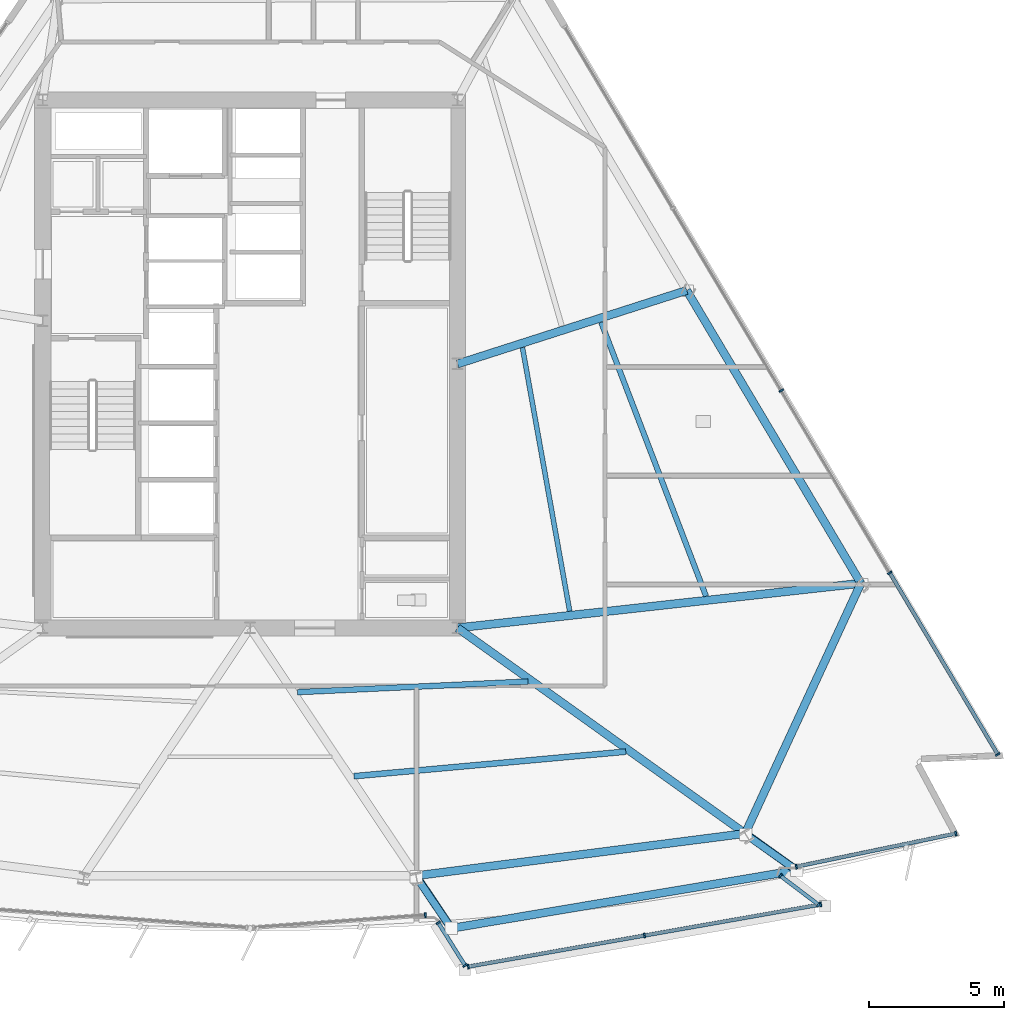
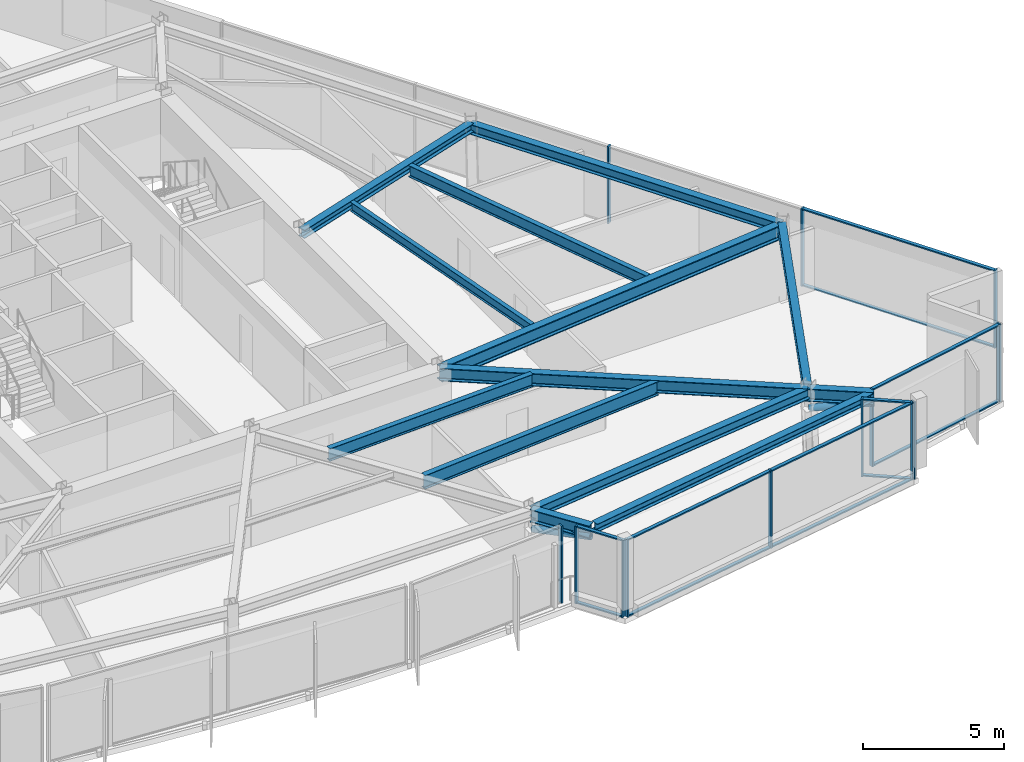
# One storey, part 4 of 15: 27 members, 13 beams, 6 elements without a shape of their own.
"""IFC4 building model written with IfcOpenShell, lengths in metres."""

from ifc_helpers import new_model, si_unit, direction, frame, origin, origin_2d, place, context, subcontext, project, spatial, rectangle, hollow_circle, i_section, extrude, material, material_profile, profile_set, type_object, element, aggregate, save


model = new_model("IFC4")

# Units and contexts
model_context = context("Model", 3, precision=1e-05, world=origin(), true_north=direction((0.0, 1.0)))
body_context = subcontext(model_context, "Body", "Model", "MODEL_VIEW")
ifc_project = project(units=[si_unit("LENGTHUNIT", "METRE"), si_unit("AREAUNIT", "SQUARE_METRE"), si_unit("VOLUMEUNIT", "CUBIC_METRE"), si_unit("PLANEANGLEUNIT", "RADIAN"), si_unit("MASSUNIT", "GRAM", prefix="KILO")], contexts=[model_context])

# Site, building, storey
site_placement = place(None, origin())
site = spatial("IfcSite", under=ifc_project, at=site_placement, CompositionType="ELEMENT")
building_placement = place(site_placement, origin())
building = spatial("IfcBuilding", under=site, at=building_placement, Name="Savorim Split Tower", CompositionType="ELEMENT")
storey_placement = place(building_placement, frame((0.0, 0.0, 122.10009765625)))
storey = spatial("IfcBuildingStorey", under=building, at=storey_placement, Name="L32", CompositionType="ELEMENT", Elevation=122.10009765625)

# Beams
ifc_material_1 = material(Name="Steel S355", Category="steel")
ifc_material_profile_1 = material_profile(ifc_material_1, i_section(OverallWidth=0.179931640625, OverallDepth=0.39990234375, WebThickness=0.008544921875, FlangeThickness=0.013427734375, FilletRadius=0.02099609375, at=origin_2d()), Name="IPE 400")
ifc_profile_set_1 = profile_set([ifc_material_profile_1], Name="Steel S355")
beam_type_1 = type_object("IfcBeamType", Name="BM-JST-IPE400", PredefinedType="JOIST", material=ifc_profile_set_1)
beam_1_placement = place(storey_placement, frame((11.864990234375, -8.77880859375, 3.14990234375), z_axis=(-0.176421266389, 0.984314754926, 0.0), x_axis=(-0.984314754926, -0.176421266389, 0.0)))
element("IfcBeam", 1, at=beam_1_placement, inside=storey, type_object=beam_type_1, Name="L32 Secondary Floor Joist JS-08", PredefinedType="JOIST", context=body_context, shape_type="SweptSolid", body=[
    extrude(i_section(OverallWidth=0.179931640625, OverallDepth=0.39990234375, WebThickness=0.008544921875, FlangeThickness=0.013427734375, FilletRadius=0.02099609375, at=origin_2d()), origin(), (0.0, 0.0, 1.0), 9.941650390625),
])
ifc_material_profile_2 = material_profile(ifc_material_1, i_section(OverallWidth=0.199951171875, OverallDepth=0.5, WebThickness=0.01025390625, FlangeThickness=0.01611328125, FilletRadius=0.02099609375, at=origin_2d()), Name="IPE 500")
ifc_profile_set_2 = profile_set([ifc_material_profile_2], Name="Steel S355")
beam_type_2 = type_object("IfcBeamType", Name="BM-JST-IPE500", PredefinedType="JOIST", material=ifc_profile_set_2)
beam_2_placement = place(storey_placement, frame((16.927490234375, -8.223388671875, 3.099853515625), z_axis=(-0.357686380294, 0.933841771047, 0.0), x_axis=(-0.933841771047, -0.357686380294, 0.0)))
element("IfcBeam", 2, at=beam_2_placement, inside=storey, type_object=beam_type_2, Name="L32 Secondary Floor Joist JS-06", PredefinedType="JOIST", context=body_context, shape_type="SweptSolid", body=[
    extrude(i_section(OverallWidth=0.199951171875, OverallDepth=0.5, WebThickness=0.01025390625, FlangeThickness=0.01611328125, FilletRadius=0.02099609375, at=origin_2d()), origin(), (0.0, 0.0, 1.0), 10.88671875),
])
ifc_material_profile_3 = material_profile(ifc_material_1, i_section(OverallWidth=0.2099609375, OverallDepth=0.550048828125, WebThickness=0.010986328125, FlangeThickness=0.01708984375, FilletRadius=0.02392578125, at=origin_2d()), Name="IPE 550")
ifc_profile_set_3 = profile_set([ifc_material_profile_3], Name="Steel S355")
beam_type_3 = type_object("IfcBeamType", Name="BM-JST-IPE550", PredefinedType="JOIST", material=ifc_profile_set_3)
beam_3_placement = place(storey_placement, frame((1.76123046875, -11.78515625, 3.074951171875), z_axis=(0.998944955435, 0.045923588825, 0.0), x_axis=(-0.045923588825, 0.998944955435, 0.0)))
element("IfcBeam", 3, at=beam_3_placement, inside=storey, type_object=beam_type_3, Name="L32 Secondary Floor Joist JS-05", PredefinedType="JOIST", context=body_context, shape_type="SweptSolid", body=[
    extrude(i_section(OverallWidth=0.2099609375, OverallDepth=0.550048828125, WebThickness=0.010986328125, FlangeThickness=0.01708984375, FilletRadius=0.02392578125, at=origin_2d()), origin(), (0.0, 0.0, 1.0), 8.564453125),
])
ifc_material_profile_4 = material_profile(ifc_material_1, i_section(OverallWidth=0.219970703125, OverallDepth=0.60009765625, WebThickness=0.011962890625, FlangeThickness=0.01904296875, FilletRadius=0.02392578125, at=origin_2d()), Name="IPE 600")
ifc_profile_set_4 = profile_set([ifc_material_profile_4], Name="Steel S355")
beam_type_4 = type_object("IfcBeamType", Name="BM-JST-IPE600", PredefinedType="JOIST", material=ifc_profile_set_4)
beam_4_placement = place(storey_placement, frame((3.855224609375, -14.90673828125, 3.0498046875), z_axis=(0.9959369281, 0.090053513238, 0.0), x_axis=(-0.090053513238, 0.9959369281, 0.0)))
element("IfcBeam", 4, at=beam_4_placement, inside=storey, type_object=beam_type_4, Name="L32 Secondary Floor Joist JS-04", PredefinedType="JOIST", context=body_context, shape_type="SweptSolid", body=[
    extrude(i_section(OverallWidth=0.219970703125, OverallDepth=0.60009765625, WebThickness=0.011962890625, FlangeThickness=0.01904296875, FilletRadius=0.02392578125, at=origin_2d()), origin(), (0.0, 0.0, 1.0), 10.134033203125),
])
ifc_material_profile_5 = material_profile(ifc_material_1, i_section(OverallWidth=0.300048828125, OverallDepth=0.360107421875, WebThickness=0.012451171875, FlangeThickness=0.0224609375, FilletRadius=0.027099609375, at=origin_2d()), Name="HEB 360")
ifc_profile_set_5 = profile_set([ifc_material_profile_5], Name="Steel S355")
beam_type_5 = type_object("IfcBeamType", Name="BM-PRI-HEB360", PredefinedType="BEAM", material=ifc_profile_set_5)
beam_5_placement = place(storey_placement, frame((16.2099609375, 3.1298828125, 3.169921875), z_axis=(-0.952203773399, -0.305463539437, 0.0), x_axis=(0.305463539437, -0.952203773399, 0.0)))
element("IfcBeam", 5, at=beam_5_placement, inside=storey, type_object=beam_type_5, Name="L32 Primary Floor Girder RG-06", PredefinedType="BEAM", context=body_context, shape_type="SweptSolid", body=[
    extrude(i_section(OverallWidth=0.300048828125, OverallDepth=0.360107421875, WebThickness=0.012451171875, FlangeThickness=0.0224609375, FilletRadius=0.027099609375, at=origin_2d()), origin(), (0.0, 0.0, 1.0), 8.937255859375),
])
ifc_material_profile_6 = material_profile(ifc_material_1, i_section(OverallWidth=0.300048828125, OverallDepth=0.550048828125, WebThickness=0.014892578125, FlangeThickness=0.029052734375, FilletRadius=0.027099609375, at=origin_2d()), Name="HEB 550")
ifc_profile_set_6 = profile_set([ifc_material_profile_6], Name="Steel S355")
beam_type_6 = type_object("IfcBeamType", Name="BM-PRI-HEB550", PredefinedType="BEAM", material=ifc_profile_set_6)
beam_6_placement = place(storey_placement, frame((18.37890625, -17.032958984375, 3.074951171875), z_axis=(-0.813544923629, 0.581502069849, 0.0), x_axis=(-0.581502069849, -0.813544923629, 0.0)))
element("IfcBeam", 6, at=beam_6_placement, inside=storey, type_object=beam_type_6, Name="L32 Primary Floor Girder RG-04", PredefinedType="BEAM", context=body_context, shape_type="SweptSolid", body=[
    extrude(i_section(OverallWidth=0.300048828125, OverallDepth=0.550048828125, WebThickness=0.014892578125, FlangeThickness=0.029052734375, FilletRadius=0.027099609375, at=origin_2d()), origin(), (0.0, 0.0, 1.0), 13.12646484375),
])
beam_7_placement = place(storey_placement, frame((6.159912109375, -18.601806640625, 3.074951171875), z_axis=(0.556233646581, -0.831025950504, 0.0), x_axis=(0.831025950504, 0.556233646581, 0.0)))
element("IfcBeam", 7, at=beam_7_placement, inside=storey, type_object=beam_type_6, Name="L32 Cantilevered Lounge Rib 1", PredefinedType="BEAM", context=body_context, shape_type="SweptSolid", body=[
    extrude(i_section(OverallWidth=0.300048828125, OverallDepth=0.550048828125, WebThickness=0.014892578125, FlangeThickness=0.029052734375, FilletRadius=0.027099609375, at=origin_2d()), origin(), (0.0, 0.0, 1.0), 2.349853515625),
])
beam_8_placement = place(storey_placement, frame((18.37890625, -17.032958984375, 3.074951171875), z_axis=(0.813564966263, -0.581474028371, 0.0), x_axis=(0.581474028371, 0.813564966263, 0.0)))
element("IfcBeam", 8, at=beam_8_placement, inside=storey, type_object=beam_type_6, Name="L32 Cantilevered Lounge Rib 2", PredefinedType="BEAM", context=body_context, shape_type="SweptSolid", body=[
    extrude(i_section(OverallWidth=0.300048828125, OverallDepth=0.550048828125, WebThickness=0.014892578125, FlangeThickness=0.029052734375, FilletRadius=0.027099609375, at=origin_2d()), origin(), (0.0, 0.0, 1.0), 2.35009765625),
])
ifc_material_2 = material(Name="Steel S460", Category="steel")
ifc_material_profile_7 = material_profile(ifc_material_2, i_section(OverallWidth=0.304931640625, OverallDepth=0.6201171875, WebThickness=0.02099609375, FlangeThickness=0.0400390625, FilletRadius=0.027099609375, at=origin_2d()), Name="HE 600 M")
ifc_profile_set_7 = profile_set([ifc_material_profile_7], Name="Steel S460")
beam_type_7 = type_object("IfcBeamType", Name="BM-PRI-HEM600", PredefinedType="BEAM", material=ifc_profile_set_7)
beam_9_placement = place(storey_placement, frame((22.675537109375, -7.743408203125, 3.039794921875), z_axis=(-0.99393795618, -0.109942436138, 0.0), x_axis=(0.109942436138, -0.99393795618, 0.0)))
element("IfcBeam", 9, at=beam_9_placement, inside=storey, type_object=beam_type_7, Name="L32 Primary Floor Girder RG-05", PredefinedType="BEAM", context=body_context, shape_type="SweptSolid", body=[
    extrude(i_section(OverallWidth=0.304931640625, OverallDepth=0.6201171875, WebThickness=0.02099609375, FlangeThickness=0.0400390625, FilletRadius=0.027099609375, at=origin_2d()), origin(), (0.0, 0.0, 1.0), 15.06689453125),
])
ifc_material_profile_8 = material_profile(ifc_material_1, i_section(OverallWidth=0.300048828125, OverallDepth=0.35009765625, WebThickness=0.010009765625, FlangeThickness=0.017578125, FilletRadius=0.027099609375, at=origin_2d()), Name="HEA 360")
ifc_profile_set_8 = profile_set([ifc_material_profile_8], Name="Steel S355")
beam_type_8 = type_object("IfcBeamType", Name="BM-SPN-HEA360", PredefinedType="SPANDREL", material=ifc_profile_set_8)
beam_10_placement = place(storey_placement, frame((7.625, -20.528076171875, 3.1748046875), z_axis=(0.986170882435, 0.165731682661, 0.0), x_axis=(-0.165731682661, 0.986170882435, 0.0)))
element("IfcBeam", 10, at=beam_10_placement, inside=storey, type_object=beam_type_8, Name="L32 Cantilevered Lounge Front Edge Beam", PredefinedType="SPANDREL", context=body_context, shape_type="SweptSolid", body=[
    extrude(i_section(OverallWidth=0.300048828125, OverallDepth=0.35009765625, WebThickness=0.010009765625, FlangeThickness=0.017578125, FilletRadius=0.027099609375, at=origin_2d()), origin(), (0.0, 0.0, 1.0), 12.683349609375),
])
ifc_material_profile_9 = material_profile(ifc_material_1, i_section(OverallWidth=0.300048828125, OverallDepth=0.43994140625, WebThickness=0.011474609375, FlangeThickness=0.02099609375, FilletRadius=0.027099609375, at=origin_2d()), Name="HEA 450")
ifc_profile_set_9 = profile_set([ifc_material_profile_9], Name="Steel S355")
beam_type_9 = type_object("IfcBeamType", Name="BM-SPN-HEA450", PredefinedType="SPANDREL", material=ifc_profile_set_9)
beam_11_placement = place(storey_placement, frame((6.159912109375, -18.601806640625, 3.1298828125), z_axis=(0.991857996996, 0.127348787962, 0.0), x_axis=(-0.127348787962, 0.991857996996, 0.0)))
element("IfcBeam", 11, at=beam_11_placement, inside=storey, type_object=beam_type_9, Name="L32 Perimeter Spandrel Beam 3", PredefinedType="SPANDREL", context=body_context, shape_type="SweptSolid", body=[
    extrude(i_section(OverallWidth=0.300048828125, OverallDepth=0.43994140625, WebThickness=0.011474609375, FlangeThickness=0.02099609375, FilletRadius=0.027099609375, at=origin_2d()), origin(), (0.0, 0.0, 1.0), 12.3193359375),
])
beam_12_placement = place(storey_placement, frame((18.37890625, -17.032958984375, 3.1298828125), z_axis=(0.419794700085, 0.907619088484, 0.0), x_axis=(-0.907619088484, 0.419794700085, 0.0)))
element("IfcBeam", 12, at=beam_12_placement, inside=storey, type_object=beam_type_9, Name="L32 Perimeter Spandrel Beam 4", PredefinedType="SPANDREL", context=body_context, shape_type="SweptSolid", body=[
    extrude(i_section(OverallWidth=0.300048828125, OverallDepth=0.43994140625, WebThickness=0.011474609375, FlangeThickness=0.02099609375, FilletRadius=0.027099609375, at=origin_2d()), origin(), (0.0, 0.0, 1.0), 10.235107421875),
])
beam_13_placement = place(storey_placement, frame((22.675537109375, -7.743408203125, 3.1298828125), z_axis=(-0.511097358034, 0.859522827277, 0.0), x_axis=(-0.859522827277, -0.511097358034, 0.0)))
element("IfcBeam", 13, at=beam_13_placement, inside=storey, type_object=beam_type_9, Name="L32 Perimeter Spandrel Beam 5", PredefinedType="SPANDREL", context=body_context, shape_type="SweptSolid", body=[
    extrude(i_section(OverallWidth=0.300048828125, OverallDepth=0.43994140625, WebThickness=0.011474609375, FlangeThickness=0.02099609375, FilletRadius=0.027099609375, at=origin_2d()), origin(), (0.0, 0.0, 1.0), 12.650390625),
])

# Curtain wall, member
ifc_material_3 = material(Name="Dark Ceramic-Fritted Insulated Glass", Category="glass")
curtain_wall_type_1 = type_object("IfcCurtainWallType", Name="CW-TWR-FRIT-A", PredefinedType="NOTDEFINED", material=ifc_material_3)
curtain_wall_1_placement = place(storey_placement, origin())
curtain_wall_1 = element("IfcCurtainWall", 14, at=curtain_wall_1_placement, inside=storey, type_object=curtain_wall_type_1, Name="L32 Curtain Wall CW-L32-SF3A", PredefinedType="NOTDEFINED")
ifc_material_4 = material(Name="Charcoal Anodised Aluminium", Category="aluminium")
ifc_material_profile_10 = material_profile(ifc_material_4, rectangle(XDim=0.179931640625, YDim=0.06494140625, at=origin_2d()), Name="ALU-M 180x65")
ifc_profile_set_10 = profile_set([ifc_material_profile_10], Name="Charcoal Anodised Aluminium")
member_type_1 = type_object("IfcMemberType", Name="CWM-180x65", PredefinedType="MULLION", material=ifc_profile_set_10)
member_1_placement = place(storey_placement, frame((6.505126953125, -20.064208984375, 0.0), z_axis=(0.0, 0.0, 1.0), x_axis=(-0.071562632816, 0.997436108021, 0.0)))
member_1 = element("IfcMember", 15, at=member_1_placement, type_object=member_type_1, Name="CW-02 mullion 2", PredefinedType="MULLION", context=body_context, shape_type="SweptSolid", body=[
    extrude(rectangle(XDim=0.179931640625, YDim=0.06494140625, at=origin_2d()), origin(), (0.0, 0.0, 1.0), 3.349853515625),
])
aggregate(curtain_wall_1, [member_1])

# Curtain wall, members
curtain_wall_2_placement = place(storey_placement, origin())
curtain_wall_2 = element("IfcCurtainWall", 16, at=curtain_wall_2_placement, inside=storey, type_object=curtain_wall_type_1, Name="L32 Curtain Wall CW-L32-SF4A", PredefinedType="NOTDEFINED")
member_2_placement = place(storey_placement, frame((20.2783203125, -18.263427734375, 0.0), z_axis=(0.0, 0.0, 1.0), x_axis=(-0.203210243687, 0.979135126967, 0.0)))
member_2 = element("IfcMember", 17, at=member_2_placement, type_object=member_type_1, Name="CW-02 mullion 1", PredefinedType="MULLION", context=body_context, shape_type="SweptSolid", body=[
    extrude(rectangle(XDim=0.179931640625, YDim=0.06494140625, at=origin_2d()), origin(), (0.0, 0.0, 1.0), 3.349853515625),
])
member_3_placement = place(storey_placement, frame((26.201171875, -17.0341796875, 0.0), z_axis=(0.0, 0.0, 1.0), x_axis=(-0.203210243687, 0.979135126967, 0.0)))
member_3 = element("IfcMember", 18, at=member_3_placement, type_object=member_type_1, Name="CW-02 mullion 2", PredefinedType="MULLION", context=body_context, shape_type="SweptSolid", body=[
    extrude(rectangle(XDim=0.179931640625, YDim=0.06494140625, at=origin_2d()), origin(), (0.0, 0.0, 1.0), 3.349853515625),
])

curtain_wall_type_2 = type_object("IfcCurtainWallType", Name="CW-BAY-LOUNGE", PredefinedType="NOTDEFINED", material=ifc_material_3)
curtain_wall_3_placement = place(storey_placement, origin())
curtain_wall_3 = element("IfcCurtainWall", 19, at=curtain_wall_3_placement, inside=storey, type_object=curtain_wall_type_2, Name="L32 Curtain Wall CW-L32-BAYF", PredefinedType="NOTDEFINED")
member_4_placement = place(storey_placement, frame((8.099853515625, -21.974609375, 0.0), z_axis=(0.0, 0.0, 1.0), x_axis=(-0.173703290368, 0.984798033566, 0.0)))
member_4 = element("IfcMember", 20, at=member_4_placement, type_object=member_type_1, Name="CW-04 mullion 1", PredefinedType="MULLION", context=body_context, shape_type="SweptSolid", body=[
    extrude(rectangle(XDim=0.179931640625, YDim=0.06494140625, at=origin_2d()), origin(), (0.0, 0.0, 1.0), 3.349853515625),
])
member_5_placement = place(storey_placement, frame((14.6416015625, -20.82080078125, 0.0), z_axis=(0.0, 0.0, 1.0), x_axis=(-0.173703290368, 0.984798033566, 0.0)))
member_5 = element("IfcMember", 21, at=member_5_placement, type_object=member_type_1, Name="CW-04 mullion 2", PredefinedType="MULLION", context=body_context, shape_type="SweptSolid", body=[
    extrude(rectangle(XDim=0.179931640625, YDim=0.06494140625, at=origin_2d()), origin(), (0.0, 0.0, 1.0), 3.349853515625),
])
member_6_placement = place(storey_placement, frame((21.18310546875, -19.666748046875, 0.0), z_axis=(0.0, 0.0, 1.0), x_axis=(-0.173703290368, 0.984798033566, 0.0)))
member_6 = element("IfcMember", 22, at=member_6_placement, type_object=member_type_1, Name="CW-04 mullion 3", PredefinedType="MULLION", context=body_context, shape_type="SweptSolid", body=[
    extrude(rectangle(XDim=0.179931640625, YDim=0.06494140625, at=origin_2d()), origin(), (0.0, 0.0, 1.0), 3.349853515625),
])

curtain_wall_4_placement = place(storey_placement, origin())
curtain_wall_4 = element("IfcCurtainWall", 23, at=curtain_wall_4_placement, inside=storey, type_object=curtain_wall_type_2, Name="L32 Curtain Wall CW-L32-BAYW", PredefinedType="NOTDEFINED")
member_7_placement = place(storey_placement, frame((6.98486328125, -20.345703125, 0.0), z_axis=(0.0, 0.0, 1.0), x_axis=(0.847099384387, 0.531434504875, 0.0)))
member_7 = element("IfcMember", 24, at=member_7_placement, type_object=member_type_1, Name="CW-04 mullion 1", PredefinedType="MULLION", context=body_context, shape_type="SweptSolid", body=[
    extrude(rectangle(XDim=0.179931640625, YDim=0.06494140625, at=origin_2d()), origin(), (0.0, 0.0, 1.0), 3.349853515625),
])
member_8_placement = place(storey_placement, frame((7.9814453125, -21.93408203125, 0.0), z_axis=(0.0, 0.0, 1.0), x_axis=(0.847099384387, 0.531434504875, 0.0)))
member_8 = element("IfcMember", 25, at=member_8_placement, type_object=member_type_1, Name="CW-04 mullion 2", PredefinedType="MULLION", context=body_context, shape_type="SweptSolid", body=[
    extrude(rectangle(XDim=0.179931640625, YDim=0.06494140625, at=origin_2d()), origin(), (0.0, 0.0, 1.0), 3.349853515625),
])

curtain_wall_5_placement = place(storey_placement, origin())
curtain_wall_5 = element("IfcCurtainWall", 26, at=curtain_wall_5_placement, inside=storey, type_object=curtain_wall_type_2, Name="L32 Curtain Wall CW-L32-BAYE", PredefinedType="NOTDEFINED")
member_9_placement = place(storey_placement, frame((21.10107421875, -19.675048828125, 0.0), z_axis=(0.0, 0.0, 1.0), x_axis=(-0.603725473499, -0.797192293395, 0.0)))
member_9 = element("IfcMember", 27, at=member_9_placement, type_object=member_type_1, Name="CW-04 mullion 1", PredefinedType="MULLION", context=body_context, shape_type="SweptSolid", body=[
    extrude(rectangle(XDim=0.179931640625, YDim=0.06494140625, at=origin_2d()), origin(), (0.0, 0.0, 1.0), 3.349853515625),
])
member_10_placement = place(storey_placement, frame((19.68994140625, -18.6064453125, 0.0), z_axis=(0.0, 0.0, 1.0), x_axis=(-0.603725473499, -0.797192293395, 0.0)))
member_10 = element("IfcMember", 28, at=member_10_placement, type_object=member_type_1, Name="CW-04 mullion 2", PredefinedType="MULLION", context=body_context, shape_type="SweptSolid", body=[
    extrude(rectangle(XDim=0.179931640625, YDim=0.06494140625, at=origin_2d()), origin(), (0.0, 0.0, 1.0), 3.349853515625),
])

curtain_wall_6_placement = place(storey_placement, origin())
curtain_wall_6 = element("IfcCurtainWall", 29, at=curtain_wall_6_placement, inside=storey, type_object=curtain_wall_type_1, Name="L32 Curtain Wall CW-L32-EAST", PredefinedType="NOTDEFINED")
member_11_placement = place(storey_placement, frame((27.75634765625, -14.09765625, 0.0), z_axis=(0.0, 0.0, 1.0), x_axis=(-0.859525409745, -0.51109301502, 0.0)))
member_11 = element("IfcMember", 30, at=member_11_placement, type_object=member_type_1, Name="CW-02 mullion 1", PredefinedType="MULLION", context=body_context, shape_type="SweptSolid", body=[
    extrude(rectangle(XDim=0.179931640625, YDim=0.06494140625, at=origin_2d()), origin(), (0.0, 0.0, 1.0), 3.349853515625),
])
member_12_placement = place(storey_placement, frame((23.748046875, -7.356689453125, 0.0), z_axis=(0.0, 0.0, 1.0), x_axis=(-0.859525409745, -0.51109301502, 0.0)))
member_12 = element("IfcMember", 31, at=member_12_placement, type_object=member_type_1, Name="CW-02 mullion 2", PredefinedType="MULLION", context=body_context, shape_type="SweptSolid", body=[
    extrude(rectangle(XDim=0.179931640625, YDim=0.06494140625, at=origin_2d()), origin(), (0.0, 0.0, 1.0), 3.349853515625),
])
member_13_placement = place(storey_placement, frame((19.72314453125, -0.587890625, 0.0), z_axis=(0.0, 0.0, 1.0), x_axis=(-0.859525409745, -0.51109301502, 0.0)))
member_13 = element("IfcMember", 32, at=member_13_placement, type_object=member_type_1, Name="CW-02 mullion 3", PredefinedType="MULLION", context=body_context, shape_type="SweptSolid", body=[
    extrude(rectangle(XDim=0.179931640625, YDim=0.06494140625, at=origin_2d()), origin(), (0.0, 0.0, 1.0), 3.349853515625),
])

# Member
ifc_material_profile_11 = material_profile(ifc_material_4, rectangle(XDim=0.139892578125, YDim=0.054931640625, at=origin_2d()), Name="ALU-T 140x55")
ifc_profile_set_11 = profile_set([ifc_material_profile_11], Name="Charcoal Anodised Aluminium")
member_type_2 = type_object("IfcMemberType", Name="CWT-140x55", PredefinedType="USERDEFINED", material=ifc_profile_set_11)
member_14_placement = place(storey_placement, frame((20.310302734375, -18.2568359375, 0.02734375), z_axis=(0.979131539762, 0.203227527275, 0.0), x_axis=(-0.203227527275, 0.979131539762, 0.0)))
member_14 = element("IfcMember", 33, at=member_14_placement, type_object=member_type_2, Name="CW-02 transom 1.1", ObjectType="TRANSOM", PredefinedType="USERDEFINED", context=body_context, shape_type="SweptSolid", body=[
    extrude(rectangle(XDim=0.139892578125, YDim=0.054931640625, at=origin_2d()), origin(), (0.0, 0.0, 1.0), 5.983642578125),
])

member_15_placement = place(storey_placement, frame((20.310302734375, -18.2568359375, 3.322509765625), z_axis=(0.979131539762, 0.203227527275, 0.0), x_axis=(-0.203227527275, 0.979131539762, 0.0)))
member_15 = element("IfcMember", 34, at=member_15_placement, type_object=member_type_2, Name="CW-02 transom 1.2", ObjectType="TRANSOM", PredefinedType="USERDEFINED", context=body_context, shape_type="SweptSolid", body=[
    extrude(rectangle(XDim=0.139892578125, YDim=0.054931640625, at=origin_2d()), origin(), (0.0, 0.0, 1.0), 5.983642578125),
])

aggregate(curtain_wall_2, [member_2, member_3, member_14, member_15])

member_16_placement = place(storey_placement, frame((8.1318359375, -21.968994140625, 0.02734375), z_axis=(0.984797007786, 0.173709105851, 0.0), x_axis=(-0.173709105851, 0.984797007786, 0.0)))
member_16 = element("IfcMember", 35, at=member_16_placement, type_object=member_type_2, Name="CW-04 transom 1.1", ObjectType="TRANSOM", PredefinedType="USERDEFINED", context=body_context, shape_type="SweptSolid", body=[
    extrude(rectangle(XDim=0.139892578125, YDim=0.054931640625, at=origin_2d()), origin(), (0.0, 0.0, 1.0), 6.57763671875),
])

member_17_placement = place(storey_placement, frame((8.1318359375, -21.968994140625, 3.322509765625), z_axis=(0.984797007786, 0.173709105851, 0.0), x_axis=(-0.173709105851, 0.984797007786, 0.0)))
member_17 = element("IfcMember", 36, at=member_17_placement, type_object=member_type_2, Name="CW-04 transom 1.2", ObjectType="TRANSOM", PredefinedType="USERDEFINED", context=body_context, shape_type="SweptSolid", body=[
    extrude(rectangle(XDim=0.139892578125, YDim=0.054931640625, at=origin_2d()), origin(), (0.0, 0.0, 1.0), 6.57763671875),
])

member_18_placement = place(storey_placement, frame((14.673583984375, -20.81494140625, 0.02734375), z_axis=(0.984803356764, 0.173673108183, 0.0), x_axis=(-0.173673108183, 0.984803356764, 0.0)))
member_18 = element("IfcMember", 37, at=member_18_placement, type_object=member_type_2, Name="CW-04 transom 2.1", ObjectType="TRANSOM", PredefinedType="USERDEFINED", context=body_context, shape_type="SweptSolid", body=[
    extrude(rectangle(XDim=0.139892578125, YDim=0.054931640625, at=origin_2d()), origin(), (0.0, 0.0, 1.0), 6.577392578125),
])

member_19_placement = place(storey_placement, frame((14.673583984375, -20.81494140625, 3.322509765625), z_axis=(0.984803356764, 0.173673108183, 0.0), x_axis=(-0.173673108183, 0.984803356764, 0.0)))
member_19 = element("IfcMember", 38, at=member_19_placement, type_object=member_type_2, Name="CW-04 transom 2.2", ObjectType="TRANSOM", PredefinedType="USERDEFINED", context=body_context, shape_type="SweptSolid", body=[
    extrude(rectangle(XDim=0.139892578125, YDim=0.054931640625, at=origin_2d()), origin(), (0.0, 0.0, 1.0), 6.577392578125),
])

aggregate(curtain_wall_3, [member_4, member_5, member_6, member_16, member_17, member_18, member_19])

member_20_placement = place(storey_placement, frame((7.002197265625, -20.373291015625, 0.02734375), z_axis=(0.531453116238, -0.847087708116, 0.0), x_axis=(0.847087708116, 0.531453116238, 0.0)))
member_20 = element("IfcMember", 39, at=member_20_placement, type_object=member_type_2, Name="CW-04 transom 1.1", ObjectType="TRANSOM", PredefinedType="USERDEFINED", context=body_context, shape_type="SweptSolid", body=[
    extrude(rectangle(XDim=0.139892578125, YDim=0.054931640625, at=origin_2d()), origin(), (0.0, 0.0, 1.0), 1.81005859375),
])

member_21_placement = place(storey_placement, frame((7.002197265625, -20.373291015625, 3.322509765625), z_axis=(0.531453116238, -0.847087708116, 0.0), x_axis=(0.847087708116, 0.531453116238, 0.0)))
member_21 = element("IfcMember", 40, at=member_21_placement, type_object=member_type_2, Name="CW-04 transom 1.2", ObjectType="TRANSOM", PredefinedType="USERDEFINED", context=body_context, shape_type="SweptSolid", body=[
    extrude(rectangle(XDim=0.139892578125, YDim=0.054931640625, at=origin_2d()), origin(), (0.0, 0.0, 1.0), 1.81005859375),
])

aggregate(curtain_wall_4, [member_7, member_8, member_20, member_21])

member_22_placement = place(storey_placement, frame((21.0751953125, -19.655517578125, 0.02734375), z_axis=(-0.797242490567, 0.603659184668, 0.0), x_axis=(-0.603659184668, -0.797242490567, 0.0)))
member_22 = element("IfcMember", 41, at=member_22_placement, type_object=member_type_2, Name="CW-04 transom 1.1", ObjectType="TRANSOM", PredefinedType="USERDEFINED", context=body_context, shape_type="SweptSolid", body=[
    extrude(rectangle(XDim=0.139892578125, YDim=0.054931640625, at=origin_2d()), origin(), (0.0, 0.0, 1.0), 1.705078125),
])

member_23_placement = place(storey_placement, frame((21.0751953125, -19.655517578125, 3.322509765625), z_axis=(-0.797242490567, 0.603659184668, 0.0), x_axis=(-0.603659184668, -0.797242490567, 0.0)))
member_23 = element("IfcMember", 42, at=member_23_placement, type_object=member_type_2, Name="CW-04 transom 1.2", ObjectType="TRANSOM", PredefinedType="USERDEFINED", context=body_context, shape_type="SweptSolid", body=[
    extrude(rectangle(XDim=0.139892578125, YDim=0.054931640625, at=origin_2d()), origin(), (0.0, 0.0, 1.0), 1.705078125),
])

aggregate(curtain_wall_5, [member_9, member_10, member_22, member_23])

member_24_placement = place(storey_placement, frame((27.73974609375, -14.069580078125, 0.02734375), z_axis=(-0.511107986277, 0.859516507325, 0.0), x_axis=(-0.859516507325, -0.511107986277, 0.0)))
member_24 = element("IfcMember", 43, at=member_24_placement, type_object=member_type_2, Name="CW-02 transom 1.1", ObjectType="TRANSOM", PredefinedType="USERDEFINED", context=body_context, shape_type="SweptSolid", body=[
    extrude(rectangle(XDim=0.139892578125, YDim=0.054931640625, at=origin_2d()), origin(), (0.0, 0.0, 1.0), 7.77734375),
])

member_25_placement = place(storey_placement, frame((27.73974609375, -14.069580078125, 3.322509765625), z_axis=(-0.511107986277, 0.859516507325, 0.0), x_axis=(-0.859516507325, -0.511107986277, 0.0)))
member_25 = element("IfcMember", 44, at=member_25_placement, type_object=member_type_2, Name="CW-02 transom 1.2", ObjectType="TRANSOM", PredefinedType="USERDEFINED", context=body_context, shape_type="SweptSolid", body=[
    extrude(rectangle(XDim=0.139892578125, YDim=0.054931640625, at=origin_2d()), origin(), (0.0, 0.0, 1.0), 7.77734375),
])

aggregate(curtain_wall_6, [member_11, member_12, member_13, member_24, member_25])

# Members
ifc_material_profile_12 = material_profile(ifc_material_1, hollow_circle(Radius=0.136474609375, WallThickness=0.01611328125, at=origin_2d()), Name="CHS 273x16")
ifc_profile_set_12 = profile_set([ifc_material_profile_12], Name="Steel S355")
member_type_3 = type_object("IfcMemberType", Name="MBR-CRN-CHS273", PredefinedType="BRACE", material=ifc_profile_set_12)
member_26_placement = place(storey_placement, frame((6.167724609375, -18.64208984375, 2.449951171875), z_axis=(0.554885611085, -0.816793287719, 0.157957854339), x_axis=(0.827177797862, 0.561940291067, 0.0)))
element("IfcMember", 45, at=member_26_placement, inside=storey, type_object=member_type_3, Name="L32 Cantilevered Bay Support Strut 1", PredefinedType="BRACE", context=body_context, shape_type="SweptSolid", body=[
    extrude(hollow_circle(Radius=0.136474609375, WallThickness=0.01611328125, at=origin_2d()), origin(), (0.0, 0.0, 1.0), 2.341552734375),
])
member_27_placement = place(storey_placement, frame((18.402587890625, -17.0712890625, 2.449951171875), z_axis=(0.807627354563, -0.568075098115, 0.158204737802), x_axis=(0.575320494446, 0.817928070597, 0.0)))
element("IfcMember", 46, at=member_27_placement, inside=storey, type_object=member_type_3, Name="L32 Cantilevered Bay Support Strut 2", PredefinedType="BRACE", context=body_context, shape_type="SweptSolid", body=[
    extrude(hollow_circle(Radius=0.136474609375, WallThickness=0.01611328125, at=origin_2d()), origin(), (0.0, 0.0, 1.0), 2.337890625),
])

save(model, "model.ifc")
